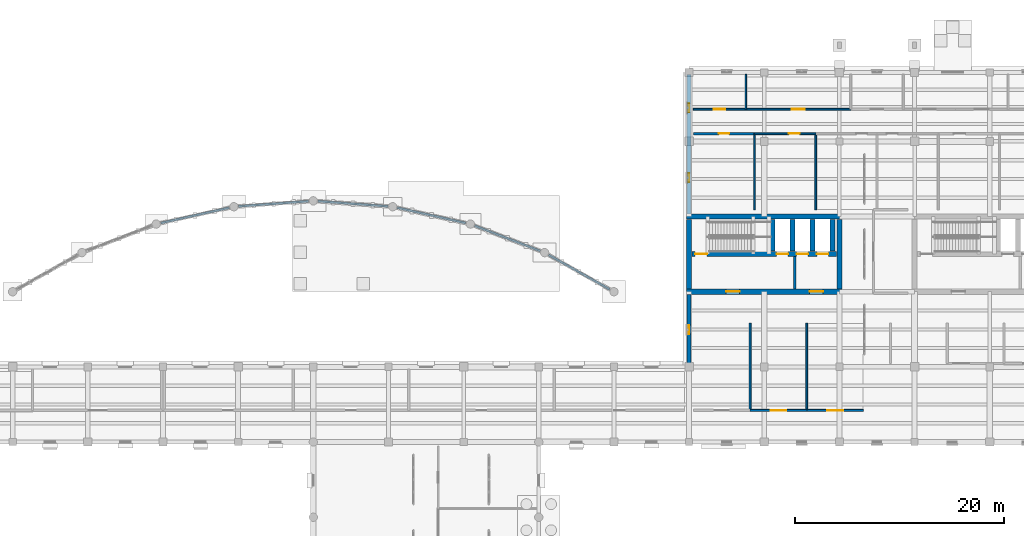
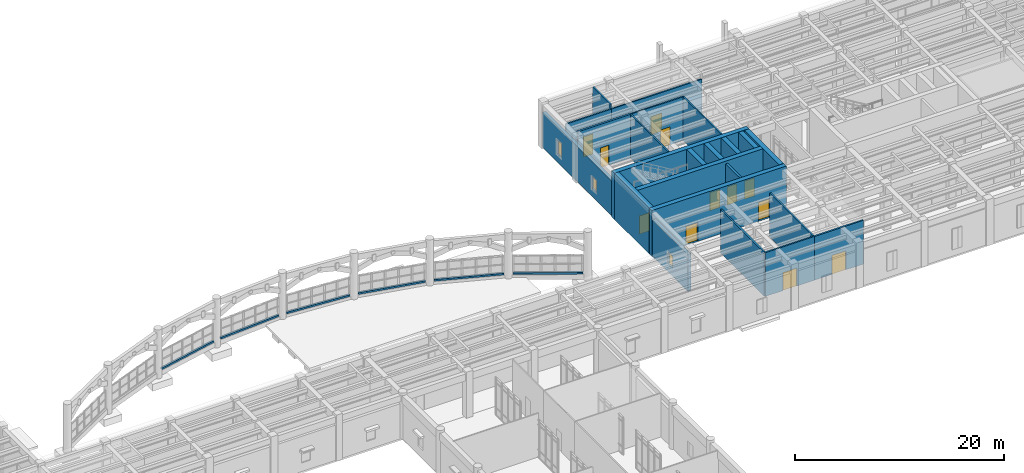
# One storey, part 79 of 100: 29 walls, 12 doors, 3 windows, 15 openings.
"""IFC4 building model written with IfcOpenShell, lengths in metres."""

from ifc_helpers import new_model, si_unit, direction, frame, frame_2d, origin, place, context, subcontext, project, spatial, rectangle, extrude, material, layer, layer_set, type_object, element, fill, save


model = new_model("IFC4")

# Units and contexts
model_context = context("Model", 3, precision=1e-05, world=origin(), true_north=direction((0.0, 1.0)))
body_context = subcontext(model_context, "Body", "Model", "MODEL_VIEW")
ifc_project = project(units=[si_unit("LENGTHUNIT", "METRE"), si_unit("AREAUNIT", "SQUARE_METRE"), si_unit("VOLUMEUNIT", "CUBIC_METRE"), si_unit("PLANEANGLEUNIT", "RADIAN"), si_unit("MASSUNIT", "GRAM", prefix="KILO")], contexts=[model_context])

# Site, building, storey
site_placement = place(None, origin())
site = spatial("IfcSite", under=ifc_project, at=site_placement, CompositionType="ELEMENT")
building_placement = place(site_placement, origin())
building = spatial("IfcBuilding", under=site, at=building_placement, Name="Mithqara Police Headquarters", CompositionType="ELEMENT")
storey_placement = place(building_placement, origin())
storey = spatial("IfcBuildingStorey", under=building, at=storey_placement, Name="L00", CompositionType="ELEMENT", Elevation=0.0)

# Wall
ifc_material_1 = material(Name="Concrete C40/50", Category="concrete")
ifc_layer_1 = layer(ifc_material_1, 0.239990234375, Name="Concrete C40/50")
ifc_layer_set_1 = layer_set([ifc_layer_1], Name="Concrete C40/50")
wall_type_1 = type_object("IfcWallType", Name="CORE LOBBY WALL 240", PredefinedType="SOLIDWALL", material=ifc_layer_set_1)
wall_1_placement = place(storey_placement, frame((118.72998046875, 93.25, 0.0), z_axis=(0.0, 0.0, 1.0), x_axis=(0.0, 1.0, 0.0)))
element("IfcWall", 1, at=wall_1_placement, inside=storey, type_object=wall_type_1, Name="Core C1 Command West Firefighting Lobby Separation Wall L00", PredefinedType="SOLIDWALL", context=body_context, shape_type="SweptSolid", body=[
    extrude(rectangle(XDim=3.1201171875, YDim=0.239990234375, at=frame_2d((1.56005859375, 0.0))), origin(), (0.0, 0.0, 1.0), 5.090087890625),
])

# Wall, openings, windows
ifc_material_2 = material(Name="Limestone ashlar masonry, 45 MPa", Category="masonry")
ifc_layer_2 = layer(ifc_material_2, 0.360107421875, Name="Limestone ashlar masonry, 45 MPa")
ifc_layer_set_2 = layer_set([ifc_layer_2], Name="Limestone ashlar masonry, 45 MPa")
wall_type_2 = type_object("IfcWallType", Name="EXT WALL LIMESTONE360", PredefinedType="SOLIDWALL", material=ifc_layer_set_2)
wall_2_placement = place(storey_placement, frame((108.60009765625, 113.820068359375, 0.0), z_axis=(0.0, 0.0, 1.0), x_axis=(0.0, -1.0, 0.0)))
wall_2 = element("IfcWall", 2, at=wall_2_placement, inside=storey, type_object=wall_type_2, Name="L00 Exterior Wall 10.1", PredefinedType="SOLIDWALL", context=body_context, shape_type="SweptSolid", body=[
    extrude(rectangle(XDim=13.3701171875, YDim=0.360107421875, at=frame_2d((6.68505859375, 0.0))), origin(), (0.0, 0.0, 1.0), 4.1201171875),
])
opening_1_placement = place(wall_2_placement, frame((9.469970703125, 0.0, 0.949951171875)))
opening_1 = element("IfcOpeningElement", 3, at=opening_1_placement, cuts=wall_2, Name="Opening W-01", PredefinedType="OPENING", context=body_context, shape_type="SweptSolid", body=[
    extrude(rectangle(XDim=0.85009765625, YDim=1.39990234375, at=frame_2d((0.425048828125, 0.699951171875))), frame((0.0, 0.18994140625, 0.0), z_axis=(0.0, -1.0, 0.0), x_axis=(1.0, 0.0, 0.0)), (0.0, 0.0, 1.0), 0.380126953125),
])
opening_2_placement = place(wall_2_placement, frame((2.784912109375, 0.0, 0.949951171875)))
opening_2 = element("IfcOpeningElement", 4, at=opening_2_placement, cuts=wall_2, Name="Opening W-02", PredefinedType="OPENING", context=body_context, shape_type="SweptSolid", body=[
    extrude(rectangle(XDim=0.85009765625, YDim=1.64990234375, at=frame_2d((0.425048828125, 0.824951171875))), frame((0.0, 0.18994140625, 0.0), z_axis=(0.0, -1.0, 0.0), x_axis=(1.0, 0.0, 0.0)), (0.0, 0.0, 1.0), 0.380126953125),
])
ifc_material_3 = material(Name="Spectrally selective double low-e glass", Category="glass")
window_type_1 = type_object("IfcWindowType", Name="WINDOW 850X1400", PartitioningType="SINGLE_PANEL", PredefinedType="WINDOW", material=ifc_material_3)
window_1_placement = place(opening_1_placement, origin())
window_1 = element("IfcWindow", 5, at=window_1_placement, inside=storey, type_object=window_type_1, Name="L00 Command Block Screened Window 10.1", OverallHeight=1.39990234375, OverallWidth=0.85009765625, PartitioningType="SINGLE_PANEL", PredefinedType="WINDOW", context=body_context, shape_type="SweptSolid", body=[
    extrude(rectangle(XDim=0.85009765625, YDim=1.39990234375, at=frame_2d((0.425048828125, 0.699951171875))), frame((0.0, 0.030029296875, 0.0), z_axis=(0.0, -1.0, 0.0), x_axis=(1.0, 0.0, 0.0)), (0.0, 0.0, 1.0), 0.06005859375),
])
fill(opening_1, window_1)
window_type_2 = type_object("IfcWindowType", Name="WINDOW 850X1650", PartitioningType="SINGLE_PANEL", PredefinedType="WINDOW", material=ifc_material_3)
window_2_placement = place(opening_2_placement, origin())
window_2 = element("IfcWindow", 6, at=window_2_placement, inside=storey, type_object=window_type_2, Name="L00 Command Block Screened Window 10.2", OverallHeight=1.64990234375, OverallWidth=0.85009765625, PartitioningType="SINGLE_PANEL", PredefinedType="WINDOW", context=body_context, shape_type="SweptSolid", body=[
    extrude(rectangle(XDim=0.85009765625, YDim=1.64990234375, at=frame_2d((0.425048828125, 0.824951171875))), frame((0.0, 0.030029296875, 0.0), z_axis=(0.0, -1.0, 0.0), x_axis=(1.0, 0.0, 0.0)), (0.0, 0.0, 1.0), 0.06005859375),
])
fill(opening_2, window_2)

# Wall, opening, window
wall_3_placement = place(storey_placement, frame((108.60009765625, 92.75, 0.0), z_axis=(0.0, 0.0, 1.0), x_axis=(0.0, -1.0, 0.0)))
wall_3 = element("IfcWall", 7, at=wall_3_placement, inside=storey, type_object=wall_type_2, Name="L00 Exterior Wall 10.2", PredefinedType="SOLIDWALL", context=body_context, shape_type="SweptSolid", body=[
    extrude(rectangle(XDim=6.77001953125, YDim=0.360107421875, at=frame_2d((3.385009765625, 0.0))), origin(), (0.0, 0.0, 1.0), 4.320068359375),
])
opening_3_placement = place(wall_3_placement, frame((2.9599609375, 0.0, 0.949951171875)))
opening_3 = element("IfcOpeningElement", 8, at=opening_3_placement, cuts=wall_3, Name="Opening W-01", PredefinedType="OPENING", context=body_context, shape_type="SweptSolid", body=[
    extrude(rectangle(XDim=0.85009765625, YDim=1.39990234375, at=frame_2d((0.425048828125, 0.699951171875))), frame((0.0, 0.18994140625, 0.0), z_axis=(0.0, -1.0, 0.0), x_axis=(1.0, 0.0, 0.0)), (0.0, 0.0, 1.0), 0.380126953125),
])
window_3_placement = place(opening_3_placement, origin())
window_3 = element("IfcWindow", 9, at=window_3_placement, inside=storey, type_object=window_type_1, Name="L00 Command Block Screened Window 10.1", OverallHeight=1.39990234375, OverallWidth=0.85009765625, PartitioningType="SINGLE_PANEL", PredefinedType="WINDOW", context=body_context, shape_type="SweptSolid", body=[
    extrude(rectangle(XDim=0.85009765625, YDim=1.39990234375, at=frame_2d((0.425048828125, 0.699951171875))), frame((0.0, 0.030029296875, 0.0), z_axis=(0.0, -1.0, 0.0), x_axis=(1.0, 0.0, 0.0)), (0.0, 0.0, 1.0), 0.06005859375),
])
fill(opening_3, window_3)

# Walls
ifc_layer_3 = layer(ifc_material_2, 0.219970703125, Name="Limestone ashlar masonry, 45 MPa")
ifc_layer_set_3 = layer_set([ifc_layer_3], Name="Limestone ashlar masonry, 45 MPa")
wall_type_3 = type_object("IfcWallType", Name="PARAPET WALL 220", PredefinedType="PARAPET", material=ifc_layer_set_3)
wall_4_placement = place(storey_placement, frame((57.99560546875, 99.57861328125, 0.31494140625), z_axis=(0.0, 0.0, 1.0), x_axis=(0.975879402462, 0.218310310912, 0.0)))
element("IfcWall", 10, at=wall_4_placement, inside=storey, type_object=wall_type_3, Name="L00 Forecourt Colonnade Sill Curb 3", PredefinedType="PARAPET", context=body_context, shape_type="SweptSolid", body=[
    extrude(rectangle(XDim=6.724365234375, YDim=0.219970703125, at=frame_2d((3.3623046875, 0.0))), origin(), (0.0, 0.0, 1.0), 0.205078125),
])
for number, where, z_axis, x_axis, name in (
    (11, (65.445068359375, 101.177978515625, 0.31494140625), (0.0, 0.0, 1.0), (0.997309889511, 0.073300643135, 0.0), "L00 Forecourt Colonnade Sill Curb 4"),
    (12, (73.04833984375, 101.6708984375, 0.31494140625), (0.0, 0.0, 1.0), (0.997309889511, -0.073300643135, 0.0), "L00 Forecourt Colonnade Sill Curb 5"),
):
    element("IfcWall", number, at=place(storey_placement, frame(where, z_axis=z_axis, x_axis=x_axis)), inside=storey, type_object=wall_type_3, Name=name, PredefinedType="PARAPET", context=body_context, shape_type="SweptSolid", body=[
        extrude(rectangle(XDim=6.724609375, YDim=0.219970703125, at=frame_2d((3.3623046875, 0.0))), origin(), (0.0, 0.0, 1.0), 0.205078125),
    ])
wall_5_placement = place(storey_placement, frame((80.64208984375, 101.046630859375, 0.31494140625), z_axis=(0.0, 0.0, 1.0), x_axis=(0.975879402462, -0.218310310912, 0.0)))
element("IfcWall", 13, at=wall_5_placement, inside=storey, type_object=wall_type_3, Name="L00 Forecourt Colonnade Sill Curb 6", PredefinedType="PARAPET", context=body_context, shape_type="SweptSolid", body=[
    extrude(rectangle(XDim=6.724365234375, YDim=0.219970703125, at=frame_2d((3.3623046875, 0.0))), origin(), (0.0, 0.0, 1.0), 0.205078125),
])
for number, where, z_axis, x_axis, name in (
    (14, (88.06298828125, 99.319091796875, 0.31494140625), (0.0, 0.0, 1.0), (0.933453171062, -0.358699285523, 0.0), "L00 Forecourt Colonnade Sill Curb 7"),
    (15, (95.1513671875, 96.52490234375, 0.31494140625), (0.0, 0.0, 1.0), (0.870975679155, -0.491326130305, 0.0), "L00 Forecourt Colonnade Sill Curb 8"),
):
    element("IfcWall", number, at=place(storey_placement, frame(where, z_axis=z_axis, x_axis=x_axis)), inside=storey, type_object=wall_type_3, Name=name, PredefinedType="PARAPET", context=body_context, shape_type="SweptSolid", body=[
        extrude(rectangle(XDim=6.724609375, YDim=0.219970703125, at=frame_2d((3.3623046875, 0.0))), origin(), (0.0, 0.0, 1.0), 0.205078125),
    ])
ifc_material_4 = material(Name="Gypsum acoustic stud partition", Category="gypsum")
ifc_layer_4 = layer(ifc_material_4, 0.159912109375, Name="Gypsum acoustic stud partition")
ifc_layer_set_4 = layer_set([ifc_layer_4], Name="Gypsum acoustic stud partition")
wall_type_4 = type_object("IfcWallType", Name="PART WALL 160", PredefinedType="PARTITIONING", material=ifc_layer_set_4)
wall_6_placement = place(storey_placement, frame((114.8798828125, 100.85009765625, 0.0), z_axis=(0.0, 0.0, 1.0), x_axis=(0.0, 1.0, 0.0)))
element("IfcWall", 16, at=wall_6_placement, inside=storey, type_object=wall_type_4, Name="L00 Room Partition Fire Command Room", PredefinedType="PARTITIONING", context=body_context, shape_type="SweptSolid", body=[
    extrude(rectangle(XDim=7.289794921875, YDim=0.159912109375, at=frame_2d((3.64501953125, 0.0))), origin(), (0.0, 0.0, 1.0), 5.1201171875),
])

# Wall, opening, door
wall_7_placement = place(storey_placement, frame((114.8798828125, 108.139892578125, 0.0), z_axis=(0.0, 0.0, 1.0), x_axis=(1.0, 0.0, 0.0)))
wall_7 = element("IfcWall", 17, at=wall_7_placement, inside=storey, type_object=wall_type_4, Name="L00 Corridor Wall Station Duty Officer Room", PredefinedType="PARTITIONING", context=body_context, shape_type="SweptSolid", body=[
    extrude(rectangle(XDim=5.860107421875, YDim=0.159912109375, at=frame_2d((2.93017578125, 0.0))), origin(), (0.0, 0.0, 1.0), 5.1201171875),
])
opening_4_placement = place(wall_7_placement, frame((3.2890625, 0.0, 0.0)))
opening_4 = element("IfcOpeningElement", 18, at=opening_4_placement, cuts=wall_7, Name="Opening D-07", PredefinedType="OPENING", context=body_context, shape_type="SweptSolid", body=[
    extrude(rectangle(XDim=1.0400390625, YDim=2.10009765625, at=frame_2d((0.52001953125, 1.050048828125))), frame((0.0, 0.08984375, 0.0), z_axis=(0.0, -1.0, 0.0), x_axis=(1.0, 0.0, 0.0)), (0.0, 0.0, 1.0), 0.179931640625),
])
ifc_material_5 = material(Name="Acoustic solid-core timber leaf", Category="wood")
door_type_1 = type_object("IfcDoorType", Name="INT DOOR 1040X2100", OperationType="NOTDEFINED", PredefinedType="DOOR", material=ifc_material_5)
door_1_placement = place(opening_4_placement, frame((1.0400390625, 0.0, 0.0), z_axis=(0.0, 0.0, 1.0), x_axis=(-1.0, 0.0, 0.0)))
door_1 = element("IfcDoor", 19, at=door_1_placement, inside=storey, type_object=door_type_1, Name="Station Duty Officer Room Entry Door", OperationType="SINGLE_SWING_RIGHT", OverallHeight=2.10009765625, OverallWidth=1.0400390625, PredefinedType="DOOR", context=body_context, shape_type="SweptSolid", body=[
    extrude(rectangle(XDim=1.0400390625, YDim=2.10009765625, at=frame_2d((0.52001953125, 1.050048828125))), frame((0.0, 0.02490234375, 0.0), z_axis=(0.0, -1.0, 0.0), x_axis=(1.0, 0.0, 0.0)), (0.0, 0.0, 1.0), 0.050048828125),
])
fill(opening_4, door_1)

# Wall
wall_8_placement = place(storey_placement, frame((120.739990234375, 100.85009765625, 0.0), z_axis=(0.0, 0.0, 1.0), x_axis=(0.0, 1.0, 0.0)))
element("IfcWall", 20, at=wall_8_placement, inside=storey, type_object=wall_type_4, Name="L00 Room Partition Station Duty Officer Room", PredefinedType="PARTITIONING", context=body_context, shape_type="SweptSolid", body=[
    extrude(rectangle(XDim=7.289794921875, YDim=0.159912109375, at=frame_2d((3.64501953125, 0.0))), origin(), (0.0, 0.0, 1.0), 5.1201171875),
])

# Wall, opening, door
wall_9_placement = place(storey_placement, frame((109.02001953125, 110.47998046875, 0.0), z_axis=(0.0, 0.0, 1.0), x_axis=(1.0, 0.0, 0.0)))
wall_9 = element("IfcWall", 21, at=wall_9_placement, inside=storey, type_object=wall_type_4, Name="L00 Corridor Wall Security Access Badging Office", PredefinedType="PARTITIONING", context=body_context, shape_type="SweptSolid", body=[
    extrude(rectangle(XDim=5.02294921875, YDim=0.159912109375, at=frame_2d((2.511474609375, 0.0))), origin(), (0.0, 0.0, 1.0), 4.570068359375),
])
opening_5_placement = place(wall_9_placement, frame((1.96142578125, 0.0, 0.0)))
opening_5 = element("IfcOpeningElement", 22, at=opening_5_placement, cuts=wall_9, Name="Opening D-12", PredefinedType="OPENING", context=body_context, shape_type="SweptSolid", body=[
    extrude(rectangle(XDim=1.10009765625, YDim=2.35009765625, at=frame_2d((0.550048828125, 1.175048828125))), frame((0.0, 0.08984375, 0.0), z_axis=(0.0, -1.0, 0.0), x_axis=(1.0, 0.0, 0.0)), (0.0, 0.0, 1.0), 0.179931640625),
])
door_type_2 = type_object("IfcDoorType", Name="INT DOOR 1100X2350", OperationType="NOTDEFINED", PredefinedType="DOOR", material=ifc_material_5)
door_2_placement = place(opening_5_placement, origin())
door_2 = element("IfcDoor", 23, at=door_2_placement, inside=storey, type_object=door_type_2, Name="Security Access Badging Office Entry Door", OperationType="SINGLE_SWING_LEFT", OverallHeight=2.35009765625, OverallWidth=1.10009765625, PredefinedType="DOOR", context=body_context, shape_type="SweptSolid", body=[
    extrude(rectangle(XDim=1.10009765625, YDim=2.35009765625, at=frame_2d((0.550048828125, 1.175048828125))), frame((0.0, 0.02490234375, 0.0), z_axis=(0.0, -1.0, 0.0), x_axis=(1.0, 0.0, 0.0)), (0.0, 0.0, 1.0), 0.050048828125),
])
fill(opening_5, door_2)

# Wall
wall_10_placement = place(storey_placement, frame((114.04296875, 110.47998046875, 0.0), z_axis=(0.0, 0.0, 1.0), x_axis=(0.0, 1.0, 0.0)))
element("IfcWall", 24, at=wall_10_placement, inside=storey, type_object=wall_type_4, Name="L00 Room Partition Security Access Badging Office", PredefinedType="PARTITIONING", context=body_context, shape_type="SweptSolid", body=[
    extrude(rectangle(XDim=3.340087890625, YDim=0.159912109375, at=frame_2d((1.669921875, 0.0))), origin(), (0.0, 0.0, 1.0), 5.1201171875),
])

# Wall, opening, door
wall_11_placement = place(storey_placement, frame((114.04296875, 110.47998046875, 0.0), z_axis=(0.0, 0.0, 1.0), x_axis=(1.0, 0.0, 0.0)))
wall_11 = element("IfcWall", 25, at=wall_11_placement, inside=storey, type_object=wall_type_4, Name="L00 Corridor Wall Patrol Briefing Room", PredefinedType="PARTITIONING", context=body_context, shape_type="SweptSolid", body=[
    extrude(rectangle(XDim=10.046142578125, YDim=0.159912109375, at=frame_2d((5.02294921875, 0.0))), origin(), (0.0, 0.0, 1.0), 4.570068359375),
])
opening_6_placement = place(wall_11_placement, frame((4.4130859375, 0.0, 0.0)))
opening_6 = element("IfcOpeningElement", 26, at=opening_6_placement, cuts=wall_11, Name="Opening D-13", PredefinedType="OPENING", context=body_context, shape_type="SweptSolid", body=[
    extrude(rectangle(XDim=1.219970703125, YDim=2.10009765625, at=frame_2d((0.60986328125, 1.050048828125))), frame((0.0, 0.08984375, 0.0), z_axis=(0.0, -1.0, 0.0), x_axis=(1.0, 0.0, 0.0)), (0.0, 0.0, 1.0), 0.179931640625),
])
door_type_3 = type_object("IfcDoorType", Name="INT DOOR 1220X2100", OperationType="NOTDEFINED", PredefinedType="DOOR", material=ifc_material_5)
door_3_placement = place(opening_6_placement, origin())
door_3 = element("IfcDoor", 27, at=door_3_placement, inside=storey, type_object=door_type_3, Name="Patrol Briefing Room Entry Door", OperationType="SINGLE_SWING_RIGHT", OverallHeight=2.10009765625, OverallWidth=1.219970703125, PredefinedType="DOOR", context=body_context, shape_type="SweptSolid", body=[
    extrude(rectangle(XDim=1.219970703125, YDim=2.10009765625, at=frame_2d((0.60986328125, 1.050048828125))), frame((0.0, 0.02490234375, 0.0), z_axis=(0.0, -1.0, 0.0), x_axis=(1.0, 0.0, 0.0)), (0.0, 0.0, 1.0), 0.050048828125),
])
fill(opening_6, door_3)

# Wall
ifc_layer_5 = layer(ifc_material_1, 0.179931640625, Name="Concrete C40/50")
ifc_layer_set_5 = layer_set([ifc_layer_5], Name="Concrete C40/50")
wall_type_5 = type_object("IfcWallType", Name="PART WALL 180", PredefinedType="PARTITIONING", material=ifc_layer_set_5)
wall_12_placement = place(storey_placement, frame((114.447021484375, 81.639892578125, 0.0), z_axis=(0.0, 0.0, 1.0), x_axis=(0.0, 1.0, 0.0)))
element("IfcWall", 28, at=wall_12_placement, inside=storey, type_object=wall_type_5, Name="L00 Room Partition Fire Command Room", PredefinedType="PARTITIONING", context=body_context, shape_type="SweptSolid", body=[
    extrude(rectangle(XDim=8.360107421875, YDim=0.179931640625, at=frame_2d((4.18017578125, 0.0))), origin(), (0.0, 0.0, 1.0), 5.1201171875),
])

# Wall, opening, door
wall_13_placement = place(storey_placement, frame((114.447021484375, 81.639892578125, 0.0), z_axis=(0.0, 0.0, 1.0), x_axis=(1.0, 0.0, 0.0)))
wall_13 = element("IfcWall", 29, at=wall_13_placement, inside=storey, type_object=wall_type_5, Name="L00 Corridor Wall Station Duty Officer Room", PredefinedType="PARTITIONING", context=body_context, shape_type="SweptSolid", body=[
    extrude(rectangle(XDim=5.426025390625, YDim=0.179931640625, at=frame_2d((2.712890625, 0.0))), origin(), (0.0, 0.0, 1.0), 5.1201171875),
])
opening_7_placement = place(wall_13_placement, frame((1.952880859375, 0.0, 0.0)))
opening_7 = element("IfcOpeningElement", 30, at=opening_7_placement, cuts=wall_13, Name="Opening D-19", PredefinedType="OPENING", context=body_context, shape_type="SweptSolid", body=[
    extrude(rectangle(XDim=1.52001953125, YDim=2.10009765625, at=frame_2d((0.760009765625, 1.050048828125))), frame((0.0, 0.10009765625, 0.0), z_axis=(0.0, -1.0, 0.0), x_axis=(1.0, 0.0, 0.0)), (0.0, 0.0, 1.0), 0.199951171875),
])
ifc_material_6 = material(Name="Bronze anodised aluminium 6063-T6", Category="aluminium")
door_type_4 = type_object("IfcDoorType", Name="INT DOOR 1520X2100", OperationType="NOTDEFINED", PredefinedType="DOOR", material=ifc_material_6)
door_4_placement = place(opening_7_placement, origin())
door_4 = element("IfcDoor", 31, at=door_4_placement, inside=storey, type_object=door_type_4, Name="Station Duty Officer Room Entry Door", OperationType="DOUBLE_DOOR_SINGLE_SWING", OverallHeight=2.10009765625, OverallWidth=1.52001953125, PredefinedType="DOOR", context=body_context, shape_type="SweptSolid", body=[
    extrude(rectangle(XDim=1.52001953125, YDim=2.10009765625, at=frame_2d((0.760009765625, 1.050048828125))), frame((0.0, 0.02490234375, 0.0), z_axis=(0.0, -1.0, 0.0), x_axis=(1.0, 0.0, 0.0)), (0.0, 0.0, 1.0), 0.050048828125),
])
fill(opening_7, door_4)

# Wall
wall_14_placement = place(storey_placement, frame((119.873046875, 81.639892578125, 0.0), z_axis=(0.0, 0.0, 1.0), x_axis=(0.0, 1.0, 0.0)))
element("IfcWall", 32, at=wall_14_placement, inside=storey, type_object=wall_type_5, Name="L00 Room Partition Station Duty Officer Room", PredefinedType="PARTITIONING", context=body_context, shape_type="SweptSolid", body=[
    extrude(rectangle(XDim=8.360107421875, YDim=0.179931640625, at=frame_2d((4.18017578125, 0.0))), origin(), (0.0, 0.0, 1.0), 5.1201171875),
])

# Wall, opening, door
wall_15_placement = place(storey_placement, frame((119.873046875, 81.639892578125, 0.0), z_axis=(0.0, 0.0, 1.0), x_axis=(1.0, 0.0, 0.0)))
wall_15 = element("IfcWall", 33, at=wall_15_placement, inside=storey, type_object=wall_type_5, Name="L00 Corridor Wall Security Access Badging Office", PredefinedType="PARTITIONING", context=body_context, shape_type="SweptSolid", body=[
    extrude(rectangle(XDim=5.427001953125, YDim=0.179931640625, at=frame_2d((2.71337890625, 0.0))), origin(), (0.0, 0.0, 1.0), 5.1201171875),
])
opening_8_placement = place(wall_15_placement, frame((1.95361328125, 0.0, 0.0)))
opening_8 = element("IfcOpeningElement", 34, at=opening_8_placement, cuts=wall_15, Name="Opening D-20", PredefinedType="OPENING", context=body_context, shape_type="SweptSolid", body=[
    extrude(rectangle(XDim=1.52001953125, YDim=2.219970703125, at=frame_2d((0.760009765625, 1.10986328125))), frame((0.0, 0.10009765625, 0.0), z_axis=(0.0, -1.0, 0.0), x_axis=(1.0, 0.0, 0.0)), (0.0, 0.0, 1.0), 0.199951171875),
])
door_type_5 = type_object("IfcDoorType", Name="INT DOOR 1520X2220", OperationType="NOTDEFINED", PredefinedType="DOOR", material=ifc_material_6)
door_5_placement = place(opening_8_placement, origin())
door_5 = element("IfcDoor", 35, at=door_5_placement, inside=storey, type_object=door_type_5, Name="Security Access Badging Office Entry Door", OperationType="DOUBLE_DOOR_SINGLE_SWING", OverallHeight=2.219970703125, OverallWidth=1.52001953125, PredefinedType="DOOR", context=body_context, shape_type="SweptSolid", body=[
    extrude(rectangle(XDim=1.52001953125, YDim=2.219970703125, at=frame_2d((0.760009765625, 1.10986328125))), frame((0.0, 0.02490234375, 0.0), z_axis=(0.0, -1.0, 0.0), x_axis=(1.0, 0.0, 0.0)), (0.0, 0.0, 1.0), 0.050048828125),
])
fill(opening_8, door_5)

ifc_layer_6 = layer(ifc_material_1, 0.2099609375, Name="Concrete C40/50")
ifc_layer_set_6 = layer_set([ifc_layer_6], Name="Concrete C40/50")
wall_type_6 = type_object("IfcWallType", Name="PART WALL 210", PredefinedType="PARTITIONING", material=ifc_layer_set_6)
wall_16_placement = place(storey_placement, frame((109.02001953125, 108.139892578125, 0.0), z_axis=(0.0, 0.0, 1.0), x_axis=(1.0, 0.0, 0.0)))
wall_16 = element("IfcWall", 36, at=wall_16_placement, inside=storey, type_object=wall_type_6, Name="L00 Corridor Wall Fire Command Room", PredefinedType="PARTITIONING", context=body_context, shape_type="SweptSolid", body=[
    extrude(rectangle(XDim=5.85986328125, YDim=0.2099609375, at=frame_2d((2.929931640625, 0.0))), origin(), (0.0, 0.0, 1.0), 5.1201171875),
])
opening_9_placement = place(wall_16_placement, frame((2.43994140625, 0.0, 0.0)))
opening_9 = element("IfcOpeningElement", 37, at=opening_9_placement, cuts=wall_16, Name="Opening D-06", PredefinedType="OPENING", context=body_context, shape_type="SweptSolid", body=[
    extrude(rectangle(XDim=0.97998046875, YDim=2.35009765625, at=frame_2d((0.489990234375, 1.175048828125))), frame((0.0, 0.114990234375, 0.0), z_axis=(0.0, -1.0, 0.0), x_axis=(1.0, 0.0, 0.0)), (0.0, 0.0, 1.0), 0.22998046875),
])
door_type_6 = type_object("IfcDoorType", Name="INT DOOR 980X2350", OperationType="NOTDEFINED", PredefinedType="DOOR", material=ifc_material_5)
door_6_placement = place(opening_9_placement, frame((0.97998046875, 0.0, 0.0), z_axis=(0.0, 0.0, 1.0), x_axis=(-1.0, 0.0, 0.0)))
door_6 = element("IfcDoor", 38, at=door_6_placement, inside=storey, type_object=door_type_6, Name="Fire Command Room Entry Door", OperationType="SINGLE_SWING_LEFT", OverallHeight=2.35009765625, OverallWidth=0.97998046875, PredefinedType="DOOR", context=body_context, shape_type="SweptSolid", body=[
    extrude(rectangle(XDim=0.97998046875, YDim=2.35009765625, at=frame_2d((0.489990234375, 1.175048828125))), frame((0.0, 0.02490234375, 0.0), z_axis=(0.0, -1.0, 0.0), x_axis=(1.0, 0.0, 0.0)), (0.0, 0.0, 1.0), 0.050048828125),
])
fill(opening_9, door_6)

# Wall
ifc_material_7 = material(Name="Concrete C50/60", Category="concrete")
ifc_layer_7 = layer(ifc_material_7, 0.5, Name="Concrete C50/60")
ifc_layer_set_7 = layer_set([ifc_layer_7], Name="Concrete C50/60")
wall_type_7 = type_object("IfcWallType", Name="SHEAR WALL 500", PredefinedType="SHEAR", material=ifc_layer_set_7)
wall_17_placement = place(storey_placement, frame((108.35009765625, 100.199951171875, 0.0), z_axis=(0.0, 0.0, 1.0), x_axis=(1.0, 0.0, 0.0)))
element("IfcWall", 39, at=wall_17_placement, inside=storey, type_object=wall_type_7, Name="Core C1 Command West Shear Wall N", PredefinedType="SHEAR", context=body_context, shape_type="SweptSolid", body=[
    extrude(rectangle(XDim=14.89990234375, YDim=0.5, at=frame_2d((7.449951171875, 0.0))), origin(), (0.0, 0.0, 1.0), 5.39990234375),
])

# Wall, openings, doors
wall_18_placement = place(storey_placement, frame((108.35009765625, 93.0, 0.0), z_axis=(0.0, 0.0, 1.0), x_axis=(1.0, 0.0, 0.0)))
wall_18 = element("IfcWall", 40, at=wall_18_placement, inside=storey, type_object=wall_type_7, Name="Core C1 Command West Shear Wall S", PredefinedType="SHEAR", context=body_context, shape_type="SweptSolid", body=[
    extrude(rectangle(XDim=14.89990234375, YDim=0.5, at=frame_2d((7.449951171875, 0.0))), origin(), (0.0, 0.0, 1.0), 5.39990234375),
])
opening_10_placement = place(wall_18_placement, frame((3.800048828125, 0.0, 0.0)))
opening_10 = element("IfcOpeningElement", 41, at=opening_10_placement, cuts=wall_18, Name="Opening FD-02", PredefinedType="OPENING", context=body_context, shape_type="SweptSolid", body=[
    extrude(rectangle(XDim=1.300048828125, YDim=2.199951171875, at=frame_2d((0.64990234375, 1.10009765625))), frame((0.0, 0.260009765625, 0.0), z_axis=(0.0, -1.0, 0.0), x_axis=(1.0, 0.0, 0.0)), (0.0, 0.0, 1.0), 0.52001953125),
])
opening_11_placement = place(wall_18_placement, frame((11.800048828125, 0.0, 0.0)))
opening_11 = element("IfcOpeningElement", 42, at=opening_11_placement, cuts=wall_18, Name="Opening FD-02", PredefinedType="OPENING", context=body_context, shape_type="SweptSolid", body=[
    extrude(rectangle(XDim=1.300048828125, YDim=2.199951171875, at=frame_2d((0.64990234375, 1.10009765625))), frame((0.0, 0.260009765625, 0.0), z_axis=(0.0, -1.0, 0.0), x_axis=(1.0, 0.0, 0.0)), (0.0, 0.0, 1.0), 0.52001953125),
])
ifc_material_8 = material(Name="Steel S355JR", Category="steel")
door_type_7 = type_object("IfcDoorType", Name="CORE DOOR LOBBY 1300X2200", OperationType="NOTDEFINED", PredefinedType="DOOR", material=ifc_material_8)
door_7_placement = place(opening_10_placement, frame((1.300048828125, 0.0, 0.0), z_axis=(0.0, 0.0, 1.0), x_axis=(-1.0, 0.0, 0.0)))
door_7 = element("IfcDoor", 43, at=door_7_placement, inside=storey, type_object=door_type_7, Name="Core C1 Command West FF Lobby Fire Door L00", OperationType="SINGLE_SWING_LEFT", OverallHeight=2.199951171875, OverallWidth=1.300048828125, PredefinedType="DOOR", context=body_context, shape_type="SweptSolid", body=[
    extrude(rectangle(XDim=1.300048828125, YDim=2.199951171875, at=frame_2d((0.64990234375, 1.10009765625))), frame((0.0, 0.02490234375, 0.0), z_axis=(0.0, -1.0, 0.0), x_axis=(1.0, 0.0, 0.0)), (0.0, 0.0, 1.0), 0.050048828125),
])
fill(opening_10, door_7)
door_8_placement = place(opening_11_placement, frame((1.300048828125, 0.0, 0.0), z_axis=(0.0, 0.0, 1.0), x_axis=(-1.0, 0.0, 0.0)))
door_8 = element("IfcDoor", 44, at=door_8_placement, inside=storey, type_object=door_type_7, Name="Core C1 Command West PA Lobby Fire Door L00", OperationType="SINGLE_SWING_RIGHT", OverallHeight=2.199951171875, OverallWidth=1.300048828125, PredefinedType="DOOR", context=body_context, shape_type="SweptSolid", body=[
    extrude(rectangle(XDim=1.300048828125, YDim=2.199951171875, at=frame_2d((0.64990234375, 1.10009765625))), frame((0.0, 0.02490234375, 0.0), z_axis=(0.0, -1.0, 0.0), x_axis=(1.0, 0.0, 0.0)), (0.0, 0.0, 1.0), 0.050048828125),
])
fill(opening_11, door_8)

# Walls
for number, where, z_axis, x_axis, name in (
    (45, (108.60009765625, 93.260009765625, 0.0), (0.0, 0.0, 1.0), (0.0, 1.0, 0.0), "Core C1 Command West Shear Wall W"),
    (46, (123.0, 93.260009765625, 0.0), (0.0, 0.0, 1.0), (0.0, 1.0, 0.0), "Core C1 Command West Shear Wall E"),
):
    element("IfcWall", number, at=place(storey_placement, frame(where, z_axis=z_axis, x_axis=x_axis)), inside=storey, type_object=wall_type_7, Name=name, PredefinedType="SHEAR", context=body_context, shape_type="SweptSolid", body=[
        extrude(rectangle(XDim=6.679931640625, YDim=0.5, at=frame_2d((3.33984375, 0.0))), origin(), (0.0, 0.0, 1.0), 5.39990234375),
    ])

# Wall, openings, doors
wall_19_placement = place(storey_placement, frame((108.860107421875, 96.6201171875, 0.0), z_axis=(0.0, 0.0, 1.0), x_axis=(1.0, 0.0, 0.0)))
wall_19 = element("IfcWall", 47, at=wall_19_placement, inside=storey, type_object=wall_type_7, Name="Core C1 Command West Shear Wall M", PredefinedType="SHEAR", context=body_context, shape_type="SweptSolid", body=[
    extrude(rectangle(XDim=13.8798828125, YDim=0.5, at=frame_2d((6.93994140625, 0.0))), origin(), (0.0, 0.0, 1.0), 5.39990234375),
])
opening_12_placement = place(wall_19_placement, frame((8.1298828125, 0.0, 0.0)))
opening_12 = element("IfcOpeningElement", 48, at=opening_12_placement, cuts=wall_19, Name="Opening LD-01", PredefinedType="OPENING", context=body_context, shape_type="SweptSolid", body=[
    extrude(rectangle(XDim=1.10009765625, YDim=2.14990234375, at=frame_2d((0.550048828125, 1.074951171875))), frame((0.0, 0.260009765625, 0.0), z_axis=(0.0, -1.0, 0.0), x_axis=(1.0, 0.0, 0.0)), (0.0, 0.0, 1.0), 0.52001953125),
])
opening_13_placement = place(wall_19_placement, frame((10.050048828125, 0.0, 0.0)))
opening_13 = element("IfcOpeningElement", 49, at=opening_13_placement, cuts=wall_19, Name="Opening LD-01", PredefinedType="OPENING", context=body_context, shape_type="SweptSolid", body=[
    extrude(rectangle(XDim=1.10009765625, YDim=2.14990234375, at=frame_2d((0.550048828125, 1.074951171875))), frame((0.0, 0.260009765625, 0.0), z_axis=(0.0, -1.0, 0.0), x_axis=(1.0, 0.0, 0.0)), (0.0, 0.0, 1.0), 0.52001953125),
])
opening_14_placement = place(wall_19_placement, frame((11.969970703125, 0.0, 0.0)))
opening_14 = element("IfcOpeningElement", 50, at=opening_14_placement, cuts=wall_19, Name="Opening LD-01", PredefinedType="OPENING", context=body_context, shape_type="SweptSolid", body=[
    extrude(rectangle(XDim=1.10009765625, YDim=2.14990234375, at=frame_2d((0.550048828125, 1.074951171875))), frame((0.0, 0.260009765625, 0.0), z_axis=(0.0, -1.0, 0.0), x_axis=(1.0, 0.0, 0.0)), (0.0, 0.0, 1.0), 0.52001953125),
])
opening_15_placement = place(wall_19_placement, frame((0.31494140625, 0.0, 0.0)))
opening_15 = element("IfcOpeningElement", 51, at=opening_15_placement, cuts=wall_19, Name="Opening FD-01", PredefinedType="OPENING", context=body_context, shape_type="SweptSolid", body=[
    extrude(rectangle(XDim=1.14990234375, YDim=2.14990234375, at=frame_2d((0.574951171875, 1.074951171875))), frame((0.0, 0.260009765625, 0.0), z_axis=(0.0, -1.0, 0.0), x_axis=(1.0, 0.0, 0.0)), (0.0, 0.0, 1.0), 0.52001953125),
])
door_type_8 = type_object("IfcDoorType", Name="CORE DOOR STAIR 1150X2150", OperationType="NOTDEFINED", PredefinedType="DOOR", material=ifc_material_8)
door_9_placement = place(opening_15_placement, origin())
door_9 = element("IfcDoor", 52, at=door_9_placement, inside=storey, type_object=door_type_8, Name="Stair ST-01 Fire Door L00", OperationType="SINGLE_SWING_LEFT", OverallHeight=2.14990234375, OverallWidth=1.14990234375, PredefinedType="DOOR", context=body_context, shape_type="SweptSolid", body=[
    extrude(rectangle(XDim=1.14990234375, YDim=2.14990234375, at=frame_2d((0.574951171875, 1.074951171875))), frame((0.0, 0.02490234375, 0.0), z_axis=(0.0, -1.0, 0.0), x_axis=(1.0, 0.0, 0.0)), (0.0, 0.0, 1.0), 0.050048828125),
])
fill(opening_15, door_9)
door_type_9 = type_object("IfcDoorType", Name="LIFT DOOR 1100X2150", OperationType="DOUBLE_DOOR_SLIDING", PredefinedType="DOOR", material=ifc_material_8)
door_10_placement = place(opening_12_placement, frame((1.10009765625, 0.0, 0.0), z_axis=(0.0, 0.0, 1.0), x_axis=(-1.0, 0.0, 0.0)))
door_10 = element("IfcDoor", 53, at=door_10_placement, inside=storey, type_object=door_type_9, Name="Lift Landing Door FL-01-L00", OperationType="DOUBLE_DOOR_SLIDING", OverallHeight=2.14990234375, OverallWidth=1.10009765625, PredefinedType="DOOR", context=body_context, shape_type="SweptSolid", body=[
    extrude(rectangle(XDim=1.10009765625, YDim=2.14990234375, at=frame_2d((0.550048828125, 1.074951171875))), frame((0.0, 0.02490234375, 0.0), z_axis=(0.0, -1.0, 0.0), x_axis=(1.0, 0.0, 0.0)), (0.0, 0.0, 1.0), 0.050048828125),
])
fill(opening_12, door_10)
door_11_placement = place(opening_13_placement, frame((1.10009765625, 0.0, 0.0), z_axis=(0.0, 0.0, 1.0), x_axis=(-1.0, 0.0, 0.0)))
door_11 = element("IfcDoor", 54, at=door_11_placement, inside=storey, type_object=door_type_9, Name="Lift Landing Door LP-01-L00", OperationType="DOUBLE_DOOR_SLIDING", OverallHeight=2.14990234375, OverallWidth=1.10009765625, PredefinedType="DOOR", context=body_context, shape_type="SweptSolid", body=[
    extrude(rectangle(XDim=1.10009765625, YDim=2.14990234375, at=frame_2d((0.550048828125, 1.074951171875))), frame((0.0, 0.02490234375, 0.0), z_axis=(0.0, -1.0, 0.0), x_axis=(1.0, 0.0, 0.0)), (0.0, 0.0, 1.0), 0.050048828125),
])
fill(opening_13, door_11)
door_12_placement = place(opening_14_placement, frame((1.10009765625, 0.0, 0.0), z_axis=(0.0, 0.0, 1.0), x_axis=(-1.0, 0.0, 0.0)))
door_12 = element("IfcDoor", 55, at=door_12_placement, inside=storey, type_object=door_type_9, Name="Lift Landing Door LP-02-L00", OperationType="DOUBLE_DOOR_SLIDING", OverallHeight=2.14990234375, OverallWidth=1.10009765625, PredefinedType="DOOR", context=body_context, shape_type="SweptSolid", body=[
    extrude(rectangle(XDim=1.10009765625, YDim=2.14990234375, at=frame_2d((0.550048828125, 1.074951171875))), frame((0.0, 0.02490234375, 0.0), z_axis=(0.0, -1.0, 0.0), x_axis=(1.0, 0.0, 0.0)), (0.0, 0.0, 1.0), 0.050048828125),
])
fill(opening_14, door_12)

# Walls
for number, where, z_axis, x_axis, name in (
    (56, (116.580078125, 96.8798828125, 0.0), (0.0, 0.0, 1.0), (0.0, 1.0, 0.0), "Core C1 Command West Shear Wall X"),
    (57, (118.5, 96.8798828125, 0.0), (0.0, 0.0, 1.0), (0.0, 1.0, 0.0), "Core C1 Command West Shear Wall L1"),
    (58, (120.419921875, 96.8798828125, 0.0), (0.0, 0.0, 1.0), (0.0, 1.0, 0.0), "Core C1 Command West Shear Wall L2"),
    (59, (122.340087890625, 96.8798828125, 0.0), (0.0, 0.0, 1.0), (0.0, 1.0, 0.0), "Core C1 Command West Shear Wall L3"),
):
    element("IfcWall", number, at=place(storey_placement, frame(where, z_axis=z_axis, x_axis=x_axis)), inside=storey, type_object=wall_type_7, Name=name, PredefinedType="SHEAR", context=body_context, shape_type="SweptSolid", body=[
        extrude(rectangle(XDim=3.06005859375, YDim=0.5, at=frame_2d((1.530029296875, 0.0))), origin(), (0.0, 0.0, 1.0), 5.39990234375),
    ])

save(model, "model.ifc")
